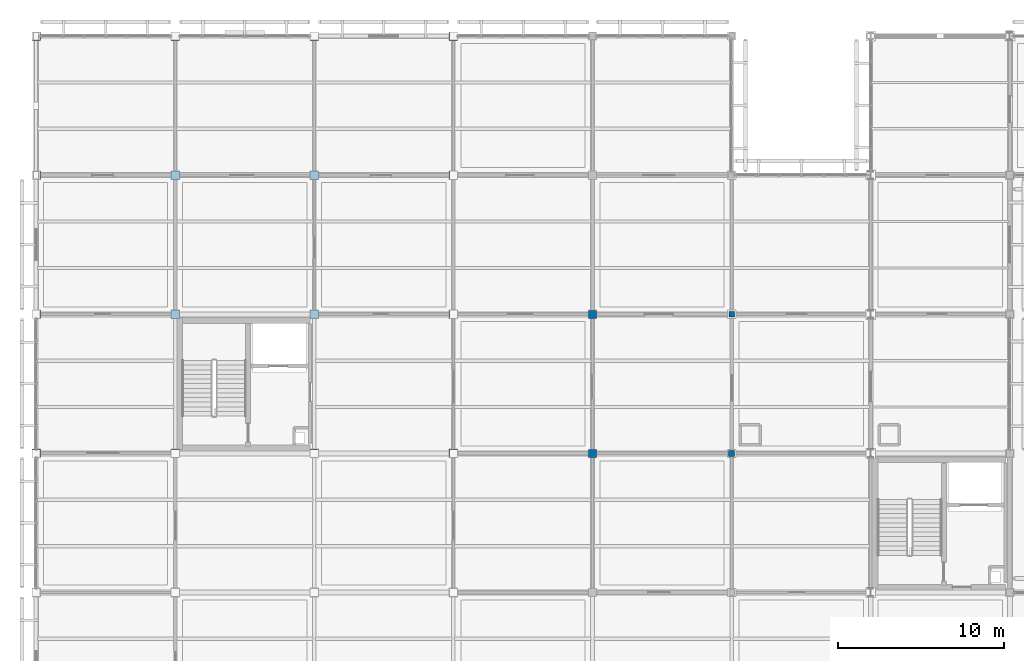
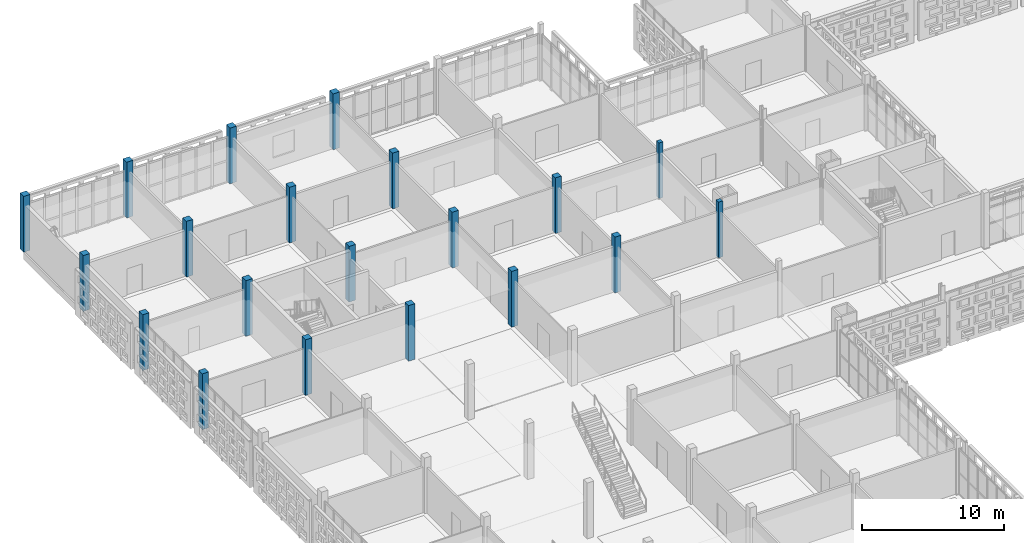
# One storey, part 5 of 203: 20 columns.
"""IFC4 building model written with IfcOpenShell, lengths in metres."""

import ifcopenshell
import ifcopenshell.guid

model = None  # the IFC model being written
_history = None  # IfcOwnerHistory: only IFC2X3 demands one
_inside = {}  # id of a spatial element -> (the spatial element, [elements in it])
_under = {}  # id of a project, library or spatial element -> (it, [spatial elements below it])
_declared = {}  # id of a project -> (the project, [libraries it declares])
_typed = {}  # id of a type object -> (the type object, [elements of that type])
_made_of = {}  # id of a material, layer set ... -> (it, [elements and type objects made of it])


def new_model(schema):
    """Start an empty IFC model of exactly this schema.

    Asked for "IFC4X3", IfcOpenShell would pick the latest addendum, in which some entities
    have other attributes; the version numbers below select the first issue.
    IFC2X3 requires an IfcOwnerHistory on every rooted entity: one is made here for all.
    """
    global model, _history
    if schema == "IFC4X3":
        model = ifcopenshell.file(schema_version=(4, 3, 0, 0))
    else:
        model = ifcopenshell.file(schema=schema)
    _inside.clear()
    _under.clear()
    _declared.clear()
    _typed.clear()
    _made_of.clear()
    _history = None
    if model.schema == "IFC2X3":
        org = make("IfcOrganization", Name="unknown")
        user = make(
            "IfcPersonAndOrganization",
            ThePerson=make("IfcPerson", FamilyName="unknown"),
            TheOrganization=org,
        )
        app = make(
            "IfcApplication",
            ApplicationDeveloper=org,
            Version="unknown",
            ApplicationFullName="unknown",
            ApplicationIdentifier="unknown",
        )
        _history = make(
            "IfcOwnerHistory",
            OwningUser=user,
            OwningApplication=app,
            ChangeAction="ADDED",
            CreationDate=0,
        )
    return model


def make(cls, **values):
    """One entity of the class cls with the attributes given. An attribute that is None is left unset."""
    return model.create_entity(
        cls, **{name: value for name, value in values.items() if value is not None}
    )


def rooted(cls, **values):
    """An entity with a GlobalId (a new one), such as an element, a storey or a relation."""
    return make(cls, GlobalId=ifcopenshell.guid.new(), OwnerHistory=_history, **values)


def si_unit(unit_type, name, prefix=None):
    """IfcSIUnit, for example si_unit("LENGTHUNIT", "METRE", prefix="MILLI")."""
    return make("IfcSIUnit", UnitType=unit_type, Prefix=prefix, Name=name)


def assignment(units):
    """IfcUnitAssignment: the units of a project."""
    return None if units is None else make("IfcUnitAssignment", Units=units)


def point(xyz):
    """IfcCartesianPoint."""
    return None if xyz is None else make("IfcCartesianPoint", Coordinates=xyz)


def direction(xyz):
    """IfcDirection."""
    return None if xyz is None else make("IfcDirection", DirectionRatios=xyz)


def frame(location, z_axis=None, x_axis=None):
    """IfcAxis2Placement3D, a coordinate frame: its origin and axes. An axis left out is left unset."""
    return make(
        "IfcAxis2Placement3D",
        Location=point(location),
        Axis=direction(z_axis),
        RefDirection=direction(x_axis),
    )


def frame_2d(location, x_axis=None):
    """IfcAxis2Placement2D, a coordinate frame in the plane: its origin and x axis."""
    return make(
        "IfcAxis2Placement2D", Location=point(location), RefDirection=direction(x_axis)
    )


def origin():
    """The frame at (0, 0, 0) with its axes left unset."""
    return frame((0.0, 0.0, 0.0))


def origin_2d():
    """The frame at (0, 0) in the plane with its x axis left unset."""
    return frame_2d((0.0, 0.0))


def place(relative_to, where):
    """IfcLocalPlacement: puts the frame where relative to a parent placement (None: the world)."""
    return make(
        "IfcLocalPlacement", PlacementRelTo=relative_to, RelativePlacement=where
    )


def context(
    kind, dimensions, precision=None, world=None, true_north=None, identifier=None
):
    """IfcGeometricRepresentationContext, for example the 3D "Model" context."""
    return make(
        "IfcGeometricRepresentationContext",
        ContextIdentifier=identifier,
        ContextType=kind,
        CoordinateSpaceDimension=dimensions,
        Precision=precision,
        WorldCoordinateSystem=world,
        TrueNorth=true_north,
    )


def subcontext(parent, identifier, kind, view, scale=None):
    """IfcGeometricRepresentationSubContext, for example "Body" below "Model"."""
    return make(
        "IfcGeometricRepresentationSubContext",
        ContextIdentifier=identifier,
        ContextType=kind,
        ParentContext=parent,
        TargetScale=scale,
        TargetView=view,
    )


def project(units=None, contexts=None):
    """IfcProject with its units and contexts."""
    return rooted(
        "IfcProject",
        Name="project",
        RepresentationContexts=contexts,
        UnitsInContext=assignment(units),
    )


def spatial(cls, under=None, at=None, **own):
    """A site, building, storey or space (cls), placed at a placement, below another one or the project."""
    s = rooted(cls, ObjectPlacement=at, **own)
    if under is not None:
        _under.setdefault(under.id(), (under, []))[1].append(s)
    return s


def profile(cls, at=None, kind="AREA", **sizes):
    """A parametric profile (cls). Its sizes go by their IFC names, for example OverallWidth=200.0."""
    return make(cls, ProfileType=kind, Position=at, **sizes)


def rectangle(**sizes):
    """IfcRectangleProfileDef."""
    return profile("IfcRectangleProfileDef", **sizes)


def extrude(swept, where, along, depth):
    """IfcExtrudedAreaSolid: the profile swept, set in the frame where, extruded along a direction by depth."""
    return make(
        "IfcExtrudedAreaSolid",
        SweptArea=swept,
        Position=where,
        ExtrudedDirection=direction(along),
        Depth=depth,
    )


def shape(context_of_items, identifier, shape_type, items):
    """IfcShapeRepresentation: the items that make up one representation, for example the "Body"."""
    return make(
        "IfcShapeRepresentation",
        ContextOfItems=context_of_items,
        RepresentationIdentifier=identifier,
        RepresentationType=shape_type,
        Items=items,
    )


def material(Name=None, Category=None):
    """IfcMaterial."""
    return make("IfcMaterial", Name=Name, Category=Category)


def material_profile(
    of_material, cross_section, Name=None, Category=None, Priority=None
):
    """IfcMaterialProfile: a cross section and its material."""
    return make(
        "IfcMaterialProfile",
        Name=Name,
        Material=of_material,
        Profile=cross_section,
        Priority=Priority,
        Category=Category,
    )


def profile_set(profiles, Name=None, composite=None):
    """IfcMaterialProfileSet."""
    return make(
        "IfcMaterialProfileSet",
        Name=Name,
        MaterialProfiles=profiles,
        CompositeProfile=composite,
    )


def made_of(thing, what):
    """Note that an element or type object is made of a material, layer set ...; save() writes the relation."""
    if what is not None:
        _made_of.setdefault(what.id(), (what, []))[1].append(thing)
    return thing


def type_object(cls, material=None, **own):
    """A type object (cls), such as IfcWallType, which elements share."""
    return made_of(rooted(cls, **own), material)


def element(
    cls,
    number,
    at=None,
    inside=None,
    cuts=None,
    type_object=None,
    material=None,
    context=None,
    identifier="Body",
    shape_type=None,
    held_by="IfcProductDefinitionShape",
    body=None,
    shapes=None,
    **own,
):
    """One element of the class cls, such as IfcWall. Its Tag is "e" and its number.

    at: its placement. inside: the storey or other place that contains it. cuts: it is an
    opening in that element (IfcRelVoidsElement). A single representation is given by context,
    identifier, shape_type and body (its items); several are given by shapes. held_by: the class
    of the entity that holds the representations. save() writes the other relations.
    """
    e = rooted(cls, Tag="e%d" % number, ObjectPlacement=at, **own)
    if body is not None:
        shapes = [shape(context, identifier, shape_type, body)]
    if shapes is not None:
        e.Representation = make(held_by, Representations=shapes)
    if inside is not None:
        _inside.setdefault(inside.id(), (inside, []))[1].append(e)
    if cuts is not None:
        rooted(
            "IfcRelVoidsElement", RelatingBuildingElement=cuts, RelatedOpeningElement=e
        )
    if type_object is not None:
        _typed.setdefault(type_object.id(), (type_object, []))[1].append(e)
    return made_of(e, material)


def aggregate(whole, parts):
    """IfcRelAggregates: a whole, such as a stair, and the parts it consists of."""
    return rooted("IfcRelAggregates", RelatingObject=whole, RelatedObjects=parts)


def save(model, path):
    """Write the relations noted so far, then the file.

    IfcRelAggregates (storeys below a building ...), IfcRelContainedInSpatialStructure (elements
    in a storey), IfcRelDefinesByType, IfcRelAssociatesMaterial and IfcRelDeclares: one each for
    every whole, place, type object, material and project.
    """
    for whole, parts in _under.values():
        aggregate(whole, parts)
    for where, things in _inside.values():
        rooted(
            "IfcRelContainedInSpatialStructure",
            RelatedElements=things,
            RelatingStructure=where,
        )
    for kind, things in _typed.values():
        rooted("IfcRelDefinesByType", RelatedObjects=things, RelatingType=kind)
    for what, things in _made_of.values():
        rooted("IfcRelAssociatesMaterial", RelatedObjects=things, RelatingMaterial=what)
    for by, libraries in _declared.values():
        rooted("IfcRelDeclares", RelatingContext=by, RelatedDefinitions=libraries)
    model.write(path)


model = new_model("IFC4")

# Units and contexts
model_context = context("Model", 3, precision=1e-05, world=origin(), true_north=direction((0.0, 1.0)))
body_context = subcontext(model_context, "Body", "Model", "MODEL_VIEW")
ifc_project = project(units=[si_unit("LENGTHUNIT", "METRE"), si_unit("AREAUNIT", "SQUARE_METRE"), si_unit("VOLUMEUNIT", "CUBIC_METRE"), si_unit("PLANEANGLEUNIT", "RADIAN"), si_unit("MASSUNIT", "GRAM", prefix="KILO")], contexts=[model_context])

# Site, building, storey
site_placement = place(None, origin())
site = spatial("IfcSite", under=ifc_project, at=site_placement, CompositionType="ELEMENT")
building_placement = place(site_placement, origin())
building = spatial("IfcBuilding", under=site, at=building_placement, Name="Varnapada Polytechnic", CompositionType="ELEMENT")
storey_placement = place(building_placement, frame((0.0, 0.0, 4.800048828125)))
storey = spatial("IfcBuildingStorey", under=building, at=storey_placement, Name="L01", CompositionType="ELEMENT", Elevation=4.800048828125)

# Columns
ifc_material = material(Name="Glulam GL32h", Category="wood")
ifc_material_profile_1 = material_profile(ifc_material, rectangle(XDim=0.52001953125, YDim=0.52001953125, at=origin_2d()), Name="GL 520x520")
ifc_profile_set_1 = profile_set([ifc_material_profile_1], Name="Glulam GL32h")
column_type_1 = type_object("IfcColumnType", Name="Column C-11 (GL 520x520)", PredefinedType="COLUMN", material=ifc_profile_set_1)
for number, where, z_axis, x_axis, name in (
    (1, (0.0, 100.800048828125, 0.0), (0.0, 0.0, 1.0), (1.0, 0.0, 0.0), "L01 column 1/13"),
    (2, (0.0, 109.199951171875, 0.0), (0.0, 0.0, 1.0), (1.0, 0.0, 0.0), "L01 column 1/14"),
    (3, (0.0, 117.60009765625, 0.0), (0.0, 0.0, 1.0), (1.0, 0.0, 0.0), "L01 column 1/15"),
    (4, (0.0, 126.0, 0.0), (0.0, 0.0, 1.0), (1.0, 0.0, 0.0), "L01 column 1/16"),
    (5, (8.39990234375, 100.800048828125, 0.0), (0.0, 0.0, 1.0), (1.0, 0.0, 0.0), "L01 column 2/13"),
    (6, (8.39990234375, 109.199951171875, 0.0), (0.0, 0.0, 1.0), (1.0, 0.0, 0.0), "L01 column 2/14"),
    (7, (8.39990234375, 117.60009765625, 0.0), (0.0, 0.0, 1.0), (1.0, 0.0, 0.0), "L01 column 2/15"),
    (8, (8.39990234375, 126.0, 0.0), (0.0, 0.0, 1.0), (1.0, 0.0, 0.0), "L01 column 2/16"),
    (9, (16.800048828125, 100.800048828125, 0.0), (0.0, 0.0, 1.0), (1.0, 0.0, 0.0), "L01 column 3/13"),
    (10, (16.800048828125, 109.199951171875, 0.0), (0.0, 0.0, 1.0), (1.0, 0.0, 0.0), "L01 column 3/14"),
    (11, (16.800048828125, 117.60009765625, 0.0), (0.0, 0.0, 1.0), (1.0, 0.0, 0.0), "L01 column 3/15"),
    (12, (16.800048828125, 126.0, 0.0), (0.0, 0.0, 1.0), (1.0, 0.0, 0.0), "L01 column 3/16"),
    (13, (25.199951171875, 100.800048828125, 0.0), (0.0, 0.0, 1.0), (1.0, 0.0, 0.0), "L01 column 4/13"),
    (14, (25.199951171875, 109.199951171875, 0.0), (0.0, 0.0, 1.0), (1.0, 0.0, 0.0), "L01 column 4/14"),
    (15, (25.199951171875, 117.60009765625, 0.0), (0.0, 0.0, 1.0), (1.0, 0.0, 0.0), "L01 column 4/15"),
    (16, (25.199951171875, 126.0, 0.0), (0.0, 0.0, 1.0), (1.0, 0.0, 0.0), "L01 column 4/16"),
):
    element("IfcColumn", number, at=place(storey_placement, frame(where, z_axis=z_axis, x_axis=x_axis)), inside=storey, type_object=column_type_1, Name=name, PredefinedType="COLUMN", context=body_context, shape_type="SweptSolid", body=[
        extrude(rectangle(XDim=0.52001953125, YDim=0.52001953125, at=origin_2d()), origin(), (0.0, 0.0, 1.0), 4.800048828125),
    ])
ifc_material_profile_2 = material_profile(ifc_material, rectangle(XDim=0.360107421875, YDim=0.360107421875, at=origin_2d()), Name="GL 360x360")
ifc_profile_set_2 = profile_set([ifc_material_profile_2], Name="Glulam GL32h")
column_type_2 = type_object("IfcColumnType", Name="Column C-14 (GL 360x360)", PredefinedType="COLUMN", material=ifc_profile_set_2)
column_1_placement = place(storey_placement, frame((42.0, 100.800048828125, 0.0), z_axis=(0.0, 0.0, 1.0), x_axis=(1.0, 0.0, 0.0)))
element("IfcColumn", 17, at=column_1_placement, inside=storey, type_object=column_type_2, Name="L01 column 6/13", PredefinedType="COLUMN", context=body_context, shape_type="SweptSolid", body=[
    extrude(rectangle(XDim=0.360107421875, YDim=0.360107421875, at=origin_2d()), origin(), (0.0, 0.0, 1.0), 4.800048828125),
])
ifc_material_profile_3 = material_profile(ifc_material, rectangle(XDim=0.5, YDim=0.5, at=origin_2d()), Name="GL 500x500")
ifc_profile_set_3 = profile_set([ifc_material_profile_3], Name="Glulam GL32h")
column_type_3 = type_object("IfcColumnType", Name="Column C-22 (GL 500x500)", PredefinedType="COLUMN", material=ifc_profile_set_3)
column_2_placement = place(storey_placement, frame((33.60009765625, 100.800048828125, 0.0), z_axis=(0.0, 0.0, 1.0), x_axis=(1.0, 0.0, 0.0)))
element("IfcColumn", 18, at=column_2_placement, inside=storey, type_object=column_type_3, Name="L01 column 5/13", PredefinedType="COLUMN", context=body_context, shape_type="SweptSolid", body=[
    extrude(rectangle(XDim=0.5, YDim=0.5, at=origin_2d()), origin(), (0.0, 0.0, 1.0), 4.800048828125),
])
ifc_material_profile_4 = material_profile(ifc_material, rectangle(XDim=0.47998046875, YDim=0.47998046875, at=origin_2d()), Name="GL 480x480")
ifc_profile_set_4 = profile_set([ifc_material_profile_4], Name="Glulam GL32h")
column_type_4 = type_object("IfcColumnType", Name="Column C-25 (GL 480x480)", PredefinedType="COLUMN", material=ifc_profile_set_4)
column_3_placement = place(storey_placement, frame((33.60009765625, 109.199951171875, 0.0), z_axis=(0.0, 0.0, 1.0), x_axis=(1.0, 0.0, 0.0)))
element("IfcColumn", 19, at=column_3_placement, inside=storey, type_object=column_type_4, Name="L01 column 5/14", PredefinedType="COLUMN", context=body_context, shape_type="SweptSolid", body=[
    extrude(rectangle(XDim=0.47998046875, YDim=0.47998046875, at=origin_2d()), origin(), (0.0, 0.0, 1.0), 4.800048828125),
])
ifc_material_profile_5 = material_profile(ifc_material, rectangle(XDim=0.340087890625, YDim=0.340087890625, at=origin_2d()), Name="GL 340x340")
ifc_profile_set_5 = profile_set([ifc_material_profile_5], Name="Glulam GL32h")
column_type_5 = type_object("IfcColumnType", Name="Column C-27 (GL 340x340)", PredefinedType="COLUMN", material=ifc_profile_set_5)
column_4_placement = place(storey_placement, frame((42.0, 109.199951171875, 0.0), z_axis=(0.0, 0.0, 1.0), x_axis=(1.0, 0.0, 0.0)))
element("IfcColumn", 20, at=column_4_placement, inside=storey, type_object=column_type_5, Name="L01 column 6/14", PredefinedType="COLUMN", context=body_context, shape_type="SweptSolid", body=[
    extrude(rectangle(XDim=0.340087890625, YDim=0.340087890625, at=origin_2d()), origin(), (0.0, 0.0, 1.0), 4.800048828125),
])

save(model, "model.ifc")
